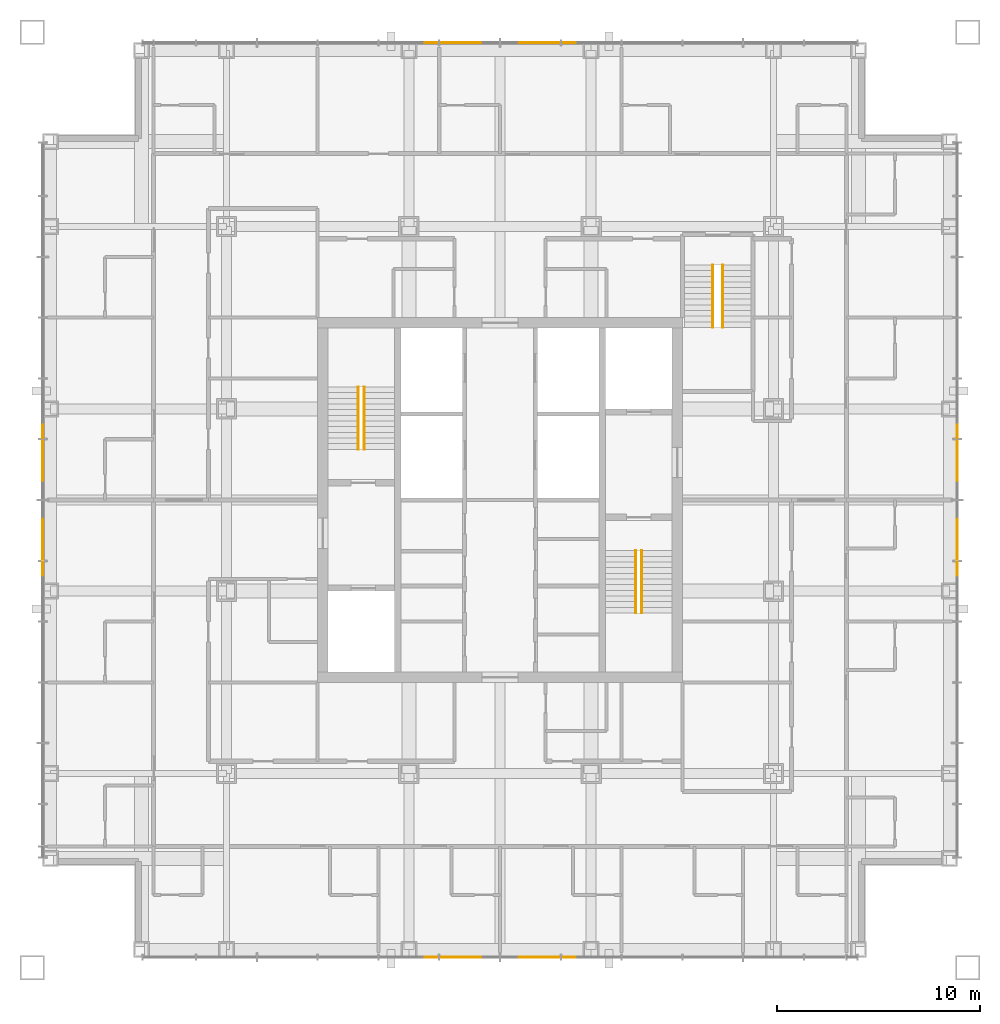
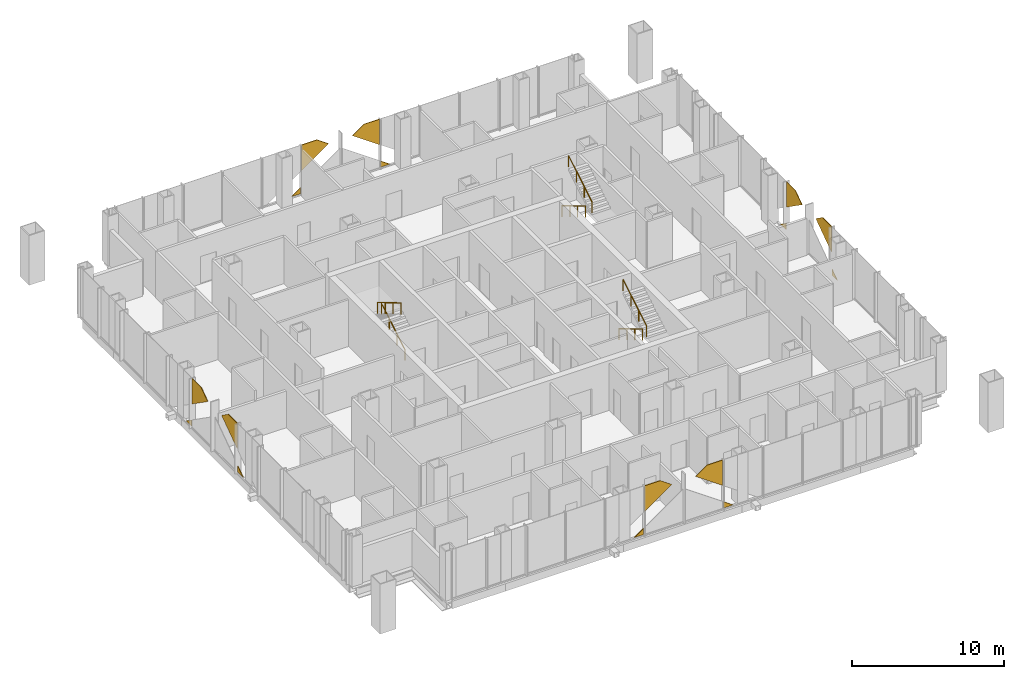
# One storey, part 17 of 17: 16 coverings, 6 railings.
"""IFC4 building model written with IfcOpenShell, lengths in metres."""

from ifc_helpers import new_model, si_unit, direction, frame, origin, origin_2d, place, context, subcontext, project, spatial, polyline, circle, outline, extrude, material, layer, layer_set, type_object, element, save


model = new_model("IFC4")

# Units and contexts
model_context = context("Model", 3, precision=1e-05, world=origin(), true_north=direction((0.0, 1.0)))
body_context = subcontext(model_context, "Body", "Model", "MODEL_VIEW")
ifc_project = project(units=[si_unit("LENGTHUNIT", "METRE"), si_unit("AREAUNIT", "SQUARE_METRE"), si_unit("VOLUMEUNIT", "CUBIC_METRE"), si_unit("PLANEANGLEUNIT", "RADIAN"), si_unit("MASSUNIT", "GRAM", prefix="KILO")], contexts=[model_context])

# Site, building, storey
site_placement = place(None, origin())
site = spatial("IfcSite", under=ifc_project, at=site_placement, CompositionType="ELEMENT")
building_placement = place(site_placement, origin())
building = spatial("IfcBuilding", under=site, at=building_placement, Name="Malebo Sky Hospital", CompositionType="ELEMENT")
storey_placement = place(building_placement, frame((0.0, 0.0, 189.0)))
storey = spatial("IfcBuildingStorey", under=building, at=storey_placement, Name="L45", CompositionType="ELEMENT", Elevation=189.0)

# Coverings
ifc_material_1 = material(Name="Anodised aluminium, natural silver insulated infill panel", Category="aluminium")
ifc_layer = layer(ifc_material_1, 0.0400390625)
ifc_layer_set = layer_set([ifc_layer], Name="BRACE INFILL PANEL 40")
covering_type = type_object("IfcCoveringType", Name="BRACE INFILL PANEL 40", PredefinedType="CLADDING", material=ifc_layer_set)
covering_1_placement = place(storey_placement, frame((56.607177734375, 84.574951171875, 0.10009765625), z_axis=(0.0, 0.0, 1.0), x_axis=(1.0, 0.0, 0.0)))
element("IfcCovering", 1, at=covering_1_placement, inside=storey, type_object=covering_type, Name="Brace infill panel 6.1", PredefinedType="CLADDING", context=body_context, shape_type="SweptSolid", body=[
    extrude(outline(polyline([(-0.35546875, 0.0), (0.35546875, 0.0), (0.35546875, 0.499267578125), (-0.35546875, 0.0)])), frame((0.0, 0.02001953125, 0.0), z_axis=(0.0, -1.0, 0.0), x_axis=(1.0, 0.0, 0.0)), (0.0, 0.0, 1.0), 0.0400390625),
])
covering_2_placement = place(storey_placement, frame((58.0615234375, 84.574951171875, 1.936279296875), z_axis=(0.0, 0.0, 1.0), x_axis=(1.0, 0.0, 0.0)))
element("IfcCovering", 2, at=covering_2_placement, inside=storey, type_object=covering_type, Name="Brace infill panel 7.1", PredefinedType="CLADDING", context=body_context, shape_type="SweptSolid", body=[
    extrude(outline(polyline([(-1.024169921875, 0.0), (1.024169921875, 1.438720703125), (0.1484375, 2.0537109375), (-1.024169921875, 2.0537109375), (-1.024169921875, 0.0)])), frame((0.0, 0.02001953125, 0.0), z_axis=(0.0, -1.0, 0.0), x_axis=(1.0, 0.0, 0.0)), (0.0, 0.0, 1.0), 0.0400390625),
])
covering_3_placement = place(storey_placement, frame((61.9384765625, 84.574951171875, 1.936279296875), z_axis=(0.0, 0.0, 1.0), x_axis=(1.0, 0.0, 0.0)))
element("IfcCovering", 3, at=covering_3_placement, inside=storey, type_object=covering_type, Name="Brace infill panel 8.1", PredefinedType="CLADDING", context=body_context, shape_type="SweptSolid", body=[
    extrude(outline(polyline([(1.024169921875, 0.0), (1.024169921875, 2.0537109375), (-0.1484375, 2.0537109375), (-1.024169921875, 1.438720703125), (1.024169921875, 0.0)])), frame((0.0, 0.02001953125, 0.0), z_axis=(0.0, -1.0, 0.0), x_axis=(1.0, 0.0, 0.0)), (0.0, 0.0, 1.0), 0.0400390625),
])
covering_4_placement = place(storey_placement, frame((63.392822265625, 84.574951171875, 0.10009765625), z_axis=(0.0, 0.0, 1.0), x_axis=(1.0, 0.0, 0.0)))
element("IfcCovering", 4, at=covering_4_placement, inside=storey, type_object=covering_type, Name="Brace infill panel 9.1", PredefinedType="CLADDING", context=body_context, shape_type="SweptSolid", body=[
    extrude(outline(polyline([(-0.35546875, 0.0), (0.35546875, 0.0), (-0.35546875, 0.499267578125), (-0.35546875, 0.0)])), frame((0.0, 0.02001953125, 0.0), z_axis=(0.0, -1.0, 0.0), x_axis=(1.0, 0.0, 0.0)), (0.0, 0.0, 1.0), 0.0400390625),
])
covering_5_placement = place(storey_placement, frame((37.425048828125, 58.607177734375, 0.10009765625), z_axis=(0.0, 0.0, 1.0), x_axis=(0.0, 1.0, 0.0)))
element("IfcCovering", 5, at=covering_5_placement, inside=storey, type_object=covering_type, Name="Brace infill panel 6.1", PredefinedType="CLADDING", context=body_context, shape_type="SweptSolid", body=[
    extrude(outline(polyline([(-0.35546875, 0.0), (0.35546875, 0.0), (0.35546875, 0.499267578125), (-0.35546875, 0.0)])), frame((0.0, 0.02001953125, 0.0), z_axis=(0.0, -1.0, 0.0), x_axis=(1.0, 0.0, 0.0)), (0.0, 0.0, 1.0), 0.0400390625),
])
covering_6_placement = place(storey_placement, frame((37.425048828125, 60.0615234375, 1.936279296875), z_axis=(0.0, 0.0, 1.0), x_axis=(0.0, 1.0, 0.0)))
element("IfcCovering", 6, at=covering_6_placement, inside=storey, type_object=covering_type, Name="Brace infill panel 7.1", PredefinedType="CLADDING", context=body_context, shape_type="SweptSolid", body=[
    extrude(outline(polyline([(-1.024169921875, 0.0), (1.024169921875, 1.438720703125), (0.1484375, 2.0537109375), (-1.024169921875, 2.0537109375), (-1.024169921875, 0.0)])), frame((0.0, 0.02001953125, 0.0), z_axis=(0.0, -1.0, 0.0), x_axis=(1.0, 0.0, 0.0)), (0.0, 0.0, 1.0), 0.0400390625),
])
covering_7_placement = place(storey_placement, frame((37.425048828125, 63.9384765625, 1.936279296875), z_axis=(0.0, 0.0, 1.0), x_axis=(0.0, 1.0, 0.0)))
element("IfcCovering", 7, at=covering_7_placement, inside=storey, type_object=covering_type, Name="Brace infill panel 8.1", PredefinedType="CLADDING", context=body_context, shape_type="SweptSolid", body=[
    extrude(outline(polyline([(1.024169921875, 0.0), (1.024169921875, 2.0537109375), (-0.1484375, 2.0537109375), (-1.024169921875, 1.438720703125), (1.024169921875, 0.0)])), frame((0.0, 0.02001953125, 0.0), z_axis=(0.0, -1.0, 0.0), x_axis=(1.0, 0.0, 0.0)), (0.0, 0.0, 1.0), 0.0400390625),
])
covering_8_placement = place(storey_placement, frame((37.425048828125, 65.392822265625, 0.10009765625), z_axis=(0.0, 0.0, 1.0), x_axis=(0.0, 1.0, 0.0)))
element("IfcCovering", 8, at=covering_8_placement, inside=storey, type_object=covering_type, Name="Brace infill panel 9.1", PredefinedType="CLADDING", context=body_context, shape_type="SweptSolid", body=[
    extrude(outline(polyline([(-0.35546875, 0.0), (0.35546875, 0.0), (-0.35546875, 0.499267578125), (-0.35546875, 0.0)])), frame((0.0, 0.02001953125, 0.0), z_axis=(0.0, -1.0, 0.0), x_axis=(1.0, 0.0, 0.0)), (0.0, 0.0, 1.0), 0.0400390625),
])
covering_9_placement = place(storey_placement, frame((63.392822265625, 39.425048828125, 0.10009765625), z_axis=(0.0, 0.0, 1.0), x_axis=(-1.0, 0.0, 0.0)))
element("IfcCovering", 9, at=covering_9_placement, inside=storey, type_object=covering_type, Name="Brace infill panel 6.1", PredefinedType="CLADDING", context=body_context, shape_type="SweptSolid", body=[
    extrude(outline(polyline([(-0.35546875, 0.0), (0.35546875, 0.0), (0.35546875, 0.499267578125), (-0.35546875, 0.0)])), frame((0.0, 0.02001953125, 0.0), z_axis=(0.0, -1.0, 0.0), x_axis=(1.0, 0.0, 0.0)), (0.0, 0.0, 1.0), 0.0400390625),
])
covering_10_placement = place(storey_placement, frame((61.9384765625, 39.425048828125, 1.936279296875), z_axis=(0.0, 0.0, 1.0), x_axis=(-1.0, 0.0, 0.0)))
element("IfcCovering", 10, at=covering_10_placement, inside=storey, type_object=covering_type, Name="Brace infill panel 7.1", PredefinedType="CLADDING", context=body_context, shape_type="SweptSolid", body=[
    extrude(outline(polyline([(-1.024169921875, 0.0), (1.024169921875, 1.438720703125), (0.1484375, 2.0537109375), (-1.024169921875, 2.0537109375), (-1.024169921875, 0.0)])), frame((0.0, 0.02001953125, 0.0), z_axis=(0.0, -1.0, 0.0), x_axis=(1.0, 0.0, 0.0)), (0.0, 0.0, 1.0), 0.0400390625),
])
covering_11_placement = place(storey_placement, frame((58.0615234375, 39.425048828125, 1.936279296875), z_axis=(0.0, 0.0, 1.0), x_axis=(-1.0, 0.0, 0.0)))
element("IfcCovering", 11, at=covering_11_placement, inside=storey, type_object=covering_type, Name="Brace infill panel 8.1", PredefinedType="CLADDING", context=body_context, shape_type="SweptSolid", body=[
    extrude(outline(polyline([(1.024169921875, 0.0), (1.024169921875, 2.0537109375), (-0.1484375, 2.0537109375), (-1.024169921875, 1.438720703125), (1.024169921875, 0.0)])), frame((0.0, 0.02001953125, 0.0), z_axis=(0.0, -1.0, 0.0), x_axis=(1.0, 0.0, 0.0)), (0.0, 0.0, 1.0), 0.0400390625),
])
covering_12_placement = place(storey_placement, frame((56.607177734375, 39.425048828125, 0.10009765625), z_axis=(0.0, 0.0, 1.0), x_axis=(-1.0, 0.0, 0.0)))
element("IfcCovering", 12, at=covering_12_placement, inside=storey, type_object=covering_type, Name="Brace infill panel 9.1", PredefinedType="CLADDING", context=body_context, shape_type="SweptSolid", body=[
    extrude(outline(polyline([(-0.35546875, 0.0), (0.35546875, 0.0), (-0.35546875, 0.499267578125), (-0.35546875, 0.0)])), frame((0.0, 0.02001953125, 0.0), z_axis=(0.0, -1.0, 0.0), x_axis=(1.0, 0.0, 0.0)), (0.0, 0.0, 1.0), 0.0400390625),
])
covering_13_placement = place(storey_placement, frame((82.574951171875, 65.392822265625, 0.10009765625), z_axis=(0.0, 0.0, 1.0), x_axis=(0.0, -1.0, 0.0)))
element("IfcCovering", 13, at=covering_13_placement, inside=storey, type_object=covering_type, Name="Brace infill panel 6.1", PredefinedType="CLADDING", context=body_context, shape_type="SweptSolid", body=[
    extrude(outline(polyline([(-0.35546875, 0.0), (0.35546875, 0.0), (0.35546875, 0.499267578125), (-0.35546875, 0.0)])), frame((0.0, 0.02001953125, 0.0), z_axis=(0.0, -1.0, 0.0), x_axis=(1.0, 0.0, 0.0)), (0.0, 0.0, 1.0), 0.0400390625),
])
covering_14_placement = place(storey_placement, frame((82.574951171875, 63.9384765625, 1.936279296875), z_axis=(0.0, 0.0, 1.0), x_axis=(0.0, -1.0, 0.0)))
element("IfcCovering", 14, at=covering_14_placement, inside=storey, type_object=covering_type, Name="Brace infill panel 7.1", PredefinedType="CLADDING", context=body_context, shape_type="SweptSolid", body=[
    extrude(outline(polyline([(-1.024169921875, 0.0), (1.024169921875, 1.438720703125), (0.1484375, 2.0537109375), (-1.024169921875, 2.0537109375), (-1.024169921875, 0.0)])), frame((0.0, 0.02001953125, 0.0), z_axis=(0.0, -1.0, 0.0), x_axis=(1.0, 0.0, 0.0)), (0.0, 0.0, 1.0), 0.0400390625),
])
covering_15_placement = place(storey_placement, frame((82.574951171875, 60.0615234375, 1.936279296875), z_axis=(0.0, 0.0, 1.0), x_axis=(0.0, -1.0, 0.0)))
element("IfcCovering", 15, at=covering_15_placement, inside=storey, type_object=covering_type, Name="Brace infill panel 8.1", PredefinedType="CLADDING", context=body_context, shape_type="SweptSolid", body=[
    extrude(outline(polyline([(1.024169921875, 0.0), (1.024169921875, 2.0537109375), (-0.1484375, 2.0537109375), (-1.024169921875, 1.438720703125), (1.024169921875, 0.0)])), frame((0.0, 0.02001953125, 0.0), z_axis=(0.0, -1.0, 0.0), x_axis=(1.0, 0.0, 0.0)), (0.0, 0.0, 1.0), 0.0400390625),
])
covering_16_placement = place(storey_placement, frame((82.574951171875, 58.607177734375, 0.10009765625), z_axis=(0.0, 0.0, 1.0), x_axis=(0.0, -1.0, 0.0)))
element("IfcCovering", 16, at=covering_16_placement, inside=storey, type_object=covering_type, Name="Brace infill panel 9.1", PredefinedType="CLADDING", context=body_context, shape_type="SweptSolid", body=[
    extrude(outline(polyline([(-0.35546875, 0.0), (0.35546875, 0.0), (-0.35546875, 0.499267578125), (-0.35546875, 0.0)])), frame((0.0, 0.02001953125, 0.0), z_axis=(0.0, -1.0, 0.0), x_axis=(1.0, 0.0, 0.0)), (0.0, 0.0, 1.0), 0.0400390625),
])

# Railings
ifc_material_2 = material(Name="Stainless steel tube", Category="steel")
railing_type = type_object("IfcRailingType", Name="STAIR HANDRAIL 900", PredefinedType="HANDRAIL", material=ifc_material_2)
railing_1_placement = place(storey_placement, frame((53.300048828125, 64.5, 0.166748046875)))
element("IfcRailing", 17, at=railing_1_placement, inside=storey, type_object=railing_type, Name="Stair handrail S1 flight 1", PredefinedType="HANDRAIL", context=body_context, shape_type="SweptSolid", body=[
    extrude(circle(Radius=0.02392578125, at=origin_2d()), frame((0.0, 0.0, 0.8759765625), z_axis=(0.0, 0.859308565015, 0.511457515432), x_axis=(-1.0, 0.0, 0.0)), (0.0, 0.0, 1.0), 3.58447265625),
    extrude(circle(Radius=0.02099609375, at=origin_2d()), origin(), (0.0, 0.0, 1.0), 0.851806640625),
    extrude(circle(Radius=0.02099609375, at=origin_2d()), frame((0.0, 1.026611328125, 0.611083984375)), (0.0, 0.0, 1.0), 0.851806640625),
    extrude(circle(Radius=0.02099609375, at=origin_2d()), frame((0.0, 2.053466796875, 1.22216796875)), (0.0, 0.0, 1.0), 0.851806640625),
    extrude(circle(Radius=0.02099609375, at=origin_2d()), frame((0.0, 3.080078125, 1.833251953125)), (0.0, 0.0, 1.0), 0.851806640625),
])
for number, where, name in (
    (18, (53.0, 67.580078125, 2.166748046875), "Stair handrail S1 flight 2"),
    (19, (66.699951171875, 59.5, 0.166748046875), "Stair handrail S2 flight 1"),
):
    element("IfcRailing", number, at=place(storey_placement, frame(where)), inside=storey, type_object=railing_type, Name=name, PredefinedType="HANDRAIL", context=body_context, shape_type="SweptSolid", body=[
        extrude(circle(Radius=0.02392578125, at=origin_2d()), frame((0.0, 0.0, 0.8759765625), z_axis=(0.0, -0.859308565015, 0.511457515432), x_axis=(1.0, 0.0, 0.0)), (0.0, 0.0, 1.0), 3.58447265625),
        extrude(circle(Radius=0.02099609375, at=origin_2d()), origin(), (0.0, 0.0, 1.0), 0.851806640625),
        extrude(circle(Radius=0.02099609375, at=origin_2d()), frame((0.0, -1.026611328125, 0.611083984375)), (0.0, 0.0, 1.0), 0.851806640625),
        extrude(circle(Radius=0.02099609375, at=origin_2d()), frame((0.0, -2.053466796875, 1.22216796875)), (0.0, 0.0, 1.0), 0.851806640625),
        extrude(circle(Radius=0.02099609375, at=origin_2d()), frame((0.0, -3.080078125, 1.833251953125)), (0.0, 0.0, 1.0), 0.851806640625),
    ])
railing_2_placement = place(storey_placement, frame((67.0, 56.419921875, 2.166748046875)))
element("IfcRailing", 20, at=railing_2_placement, inside=storey, type_object=railing_type, Name="Stair handrail S2 flight 2", PredefinedType="HANDRAIL", context=body_context, shape_type="SweptSolid", body=[
    extrude(circle(Radius=0.02392578125, at=origin_2d()), frame((0.0, 0.0, 0.8759765625), z_axis=(0.0, 0.859308565015, 0.511457515432), x_axis=(-1.0, 0.0, 0.0)), (0.0, 0.0, 1.0), 3.58447265625),
    extrude(circle(Radius=0.02099609375, at=origin_2d()), origin(), (0.0, 0.0, 1.0), 0.851806640625),
    extrude(circle(Radius=0.02099609375, at=origin_2d()), frame((0.0, 1.026611328125, 0.611083984375)), (0.0, 0.0, 1.0), 0.851806640625),
    extrude(circle(Radius=0.02099609375, at=origin_2d()), frame((0.0, 2.053466796875, 1.22216796875)), (0.0, 0.0, 1.0), 0.851806640625),
    extrude(circle(Radius=0.02099609375, at=origin_2d()), frame((0.0, 3.080078125, 1.833251953125)), (0.0, 0.0, 1.0), 0.851806640625),
])
railing_3_placement = place(storey_placement, frame((70.5, 73.60009765625, 0.166748046875)))
element("IfcRailing", 21, at=railing_3_placement, inside=storey, type_object=railing_type, Name="Stair handrail S3 flight 1", PredefinedType="HANDRAIL", context=body_context, shape_type="SweptSolid", body=[
    extrude(circle(Radius=0.02392578125, at=origin_2d()), frame((0.0, 0.0, 0.8759765625), z_axis=(0.0, -0.859308565015, 0.511457515432), x_axis=(1.0, 0.0, 0.0)), (0.0, 0.0, 1.0), 3.58447265625),
    extrude(circle(Radius=0.02099609375, at=origin_2d()), origin(), (0.0, 0.0, 1.0), 0.851806640625),
    extrude(circle(Radius=0.02099609375, at=origin_2d()), frame((0.0, -1.026611328125, 0.611083984375)), (0.0, 0.0, 1.0), 0.851806640625),
    extrude(circle(Radius=0.02099609375, at=origin_2d()), frame((0.0, -2.053466796875, 1.22216796875)), (0.0, 0.0, 1.0), 0.851806640625),
    extrude(circle(Radius=0.02099609375, at=origin_2d()), frame((0.0, -3.080078125, 1.833251953125)), (0.0, 0.0, 1.0), 0.851806640625),
])
railing_4_placement = place(storey_placement, frame((71.0, 70.52001953125, 2.166748046875)))
element("IfcRailing", 22, at=railing_4_placement, inside=storey, type_object=railing_type, Name="Stair handrail S3 flight 2", PredefinedType="HANDRAIL", context=body_context, shape_type="SweptSolid", body=[
    extrude(circle(Radius=0.02392578125, at=origin_2d()), frame((0.0, 0.0, 0.8759765625), z_axis=(0.0, 0.859308565015, 0.511457515432), x_axis=(-1.0, 0.0, 0.0)), (0.0, 0.0, 1.0), 3.58447265625),
    extrude(circle(Radius=0.02099609375, at=origin_2d()), origin(), (0.0, 0.0, 1.0), 0.851806640625),
    extrude(circle(Radius=0.02099609375, at=origin_2d()), frame((0.0, 1.026611328125, 0.611083984375)), (0.0, 0.0, 1.0), 0.851806640625),
    extrude(circle(Radius=0.02099609375, at=origin_2d()), frame((0.0, 2.053466796875, 1.22216796875)), (0.0, 0.0, 1.0), 0.851806640625),
    extrude(circle(Radius=0.02099609375, at=origin_2d()), frame((0.0, 3.080078125, 1.833251953125)), (0.0, 0.0, 1.0), 0.851806640625),
])

save(model, "model.ifc")
